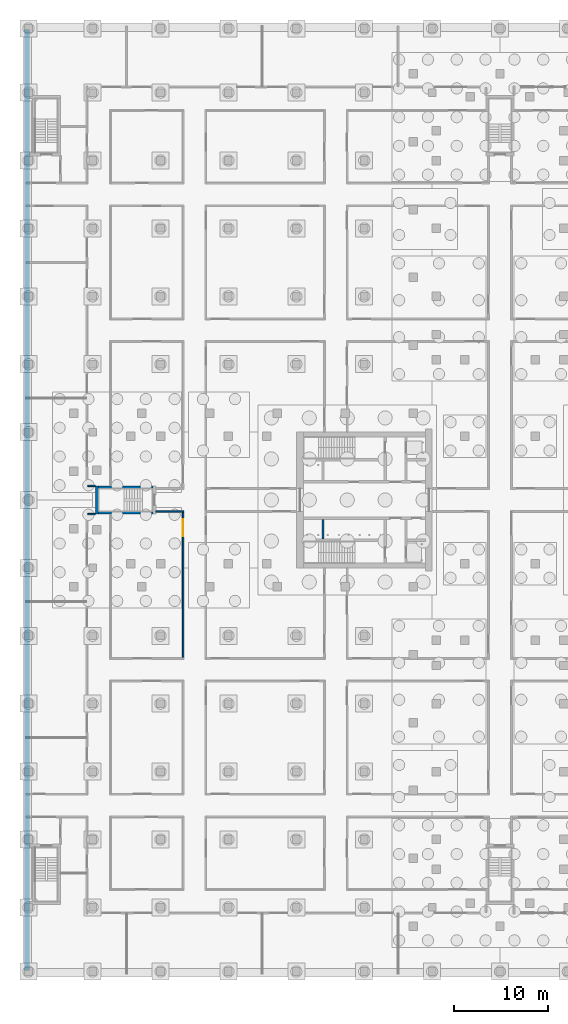
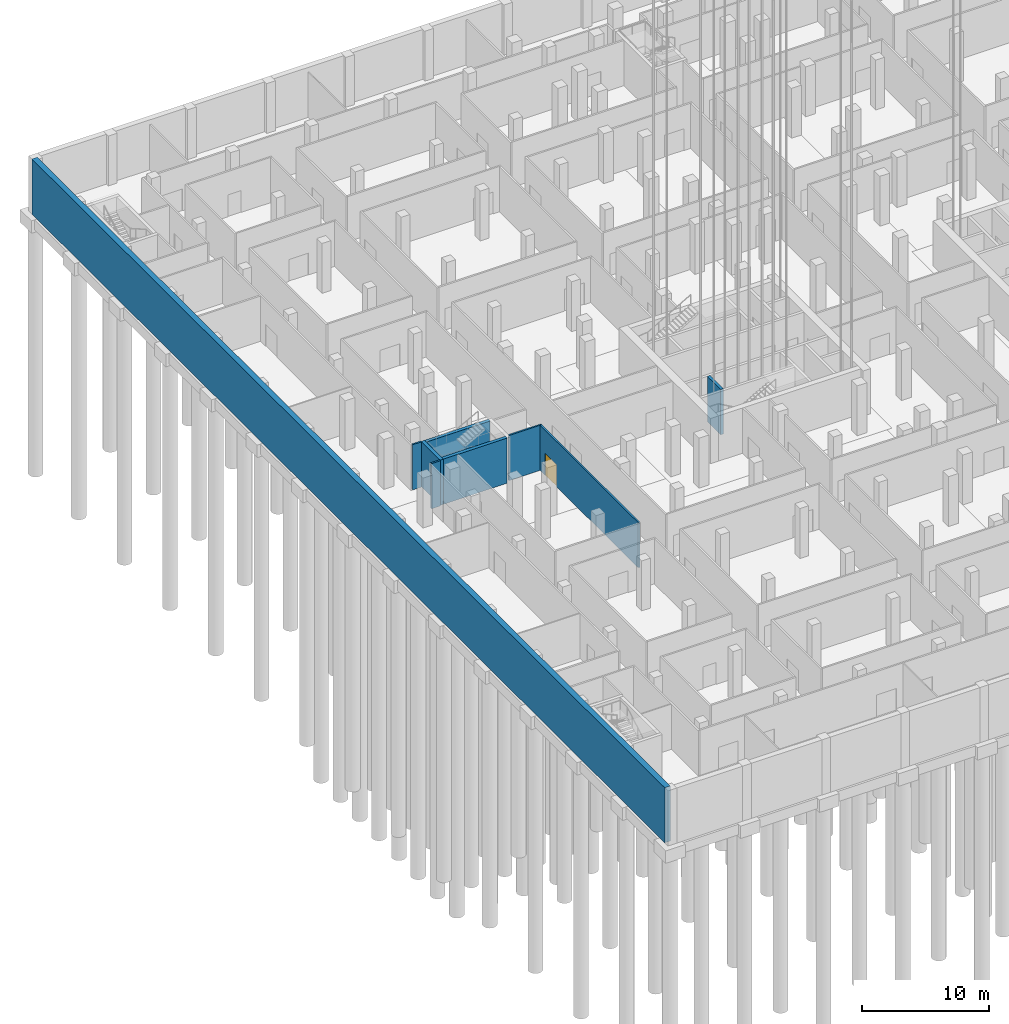
# One storey, part 9 of 54: 9 walls, 1 door, 1 opening.
"""IFC4 building model written with IfcOpenShell, lengths in metres."""

from ifc_helpers import new_model, si_unit, direction, frame, frame_2d, origin, place, context, subcontext, project, spatial, rectangle, extrude, material, layer, layer_set, type_object, element, fill, save


model = new_model("IFC4")

# Units and contexts
model_context = context("Model", 3, precision=1e-05, world=origin(), true_north=direction((0.0, 1.0)))
body_context = subcontext(model_context, "Body", "Model", "MODEL_VIEW")
ifc_project = project(units=[si_unit("LENGTHUNIT", "METRE"), si_unit("AREAUNIT", "SQUARE_METRE"), si_unit("VOLUMEUNIT", "CUBIC_METRE"), si_unit("PLANEANGLEUNIT", "RADIAN"), si_unit("MASSUNIT", "GRAM", prefix="KILO")], contexts=[model_context])

# Site, building, storey
site_placement = place(None, origin())
site = spatial("IfcSite", under=ifc_project, at=site_placement, CompositionType="ELEMENT")
building_placement = place(site_placement, origin())
building = spatial("IfcBuilding", under=site, at=building_placement, Name="Fustian Cross Tower", CompositionType="ELEMENT")
storey_placement = place(building_placement, frame((0.0, 0.0, -4.800048828125)))
storey = spatial("IfcBuildingStorey", under=building, at=storey_placement, Name="B1", CompositionType="ELEMENT", Elevation=-4.800048828125)

# Walls
ifc_material_1 = material(Name="Plasterboard on steel stud", Category="steel")
ifc_layer_1 = layer(ifc_material_1, 0.14990234375)
ifc_layer_set_1 = layer_set([ifc_layer_1], Name="Plasterboard on steel stud")
wall_type_1 = type_object("IfcWallType", Name="COMPARTMENT WALL 150 EI 60", PredefinedType="PARTITIONING", material=ifc_layer_set_1)
for number, where, z_axis, x_axis, name in (
    (1, (-43.72509765625, -1.5, 0.0), (0.0, 0.0, 1.0), (1.0, 0.0, 0.0), "Partition 16"),
    (2, (-43.72509765625, 1.5, 0.0), (0.0, 0.0, 1.0), (1.0, 0.0, 0.0), "Partition 18"),
):
    element("IfcWall", number, at=place(storey_placement, frame(where, z_axis=z_axis, x_axis=x_axis)), inside=storey, type_object=wall_type_1, Name=name, PredefinedType="PARTITIONING", context=body_context, shape_type="SweptSolid", body=[
        extrude(rectangle(XDim=0.8251953125, YDim=0.14990234375, at=frame_2d((0.41259765625, 0.0))), origin(), (0.0, 0.0, 1.0), 4.35009765625),
    ])
wall_1_placement = place(storey_placement, frame((-36.5, -1.199951171875, 0.0), z_axis=(0.0, 0.0, 1.0), x_axis=(1.0, 0.0, 0.0)))
element("IfcWall", 3, at=wall_1_placement, inside=storey, type_object=wall_type_1, Name="Partition 39", PredefinedType="PARTITIONING", context=body_context, shape_type="SweptSolid", body=[
    extrude(rectangle(XDim=2.97509765625, YDim=0.14990234375, at=frame_2d((1.487548828125, 0.0))), origin(), (0.0, 0.0, 1.0), 4.35009765625),
])

# Wall, opening, door
wall_2_placement = place(storey_placement, frame((-33.60009765625, -16.72509765625, 0.0), z_axis=(0.0, 0.0, 1.0), x_axis=(0.0, 1.0, 0.0)))
wall_2 = element("IfcWall", 4, at=wall_2_placement, inside=storey, type_object=wall_type_1, Name="Partition 43", PredefinedType="PARTITIONING", context=body_context, shape_type="SweptSolid", body=[
    extrude(rectangle(XDim=15.4501953125, YDim=0.14990234375, at=frame_2d((7.72509765625, 0.0))), origin(), (0.0, 0.0, 1.0), 4.35009765625),
])
opening_placement = place(wall_2_placement, frame((12.875, 0.0, 0.0)))
opening = element("IfcOpeningElement", 5, at=opening_placement, cuts=wall_2, Name="Opening D01171", PredefinedType="OPENING", context=body_context, shape_type="SweptSolid", body=[
    extrude(rectangle(XDim=1.800048828125, YDim=2.10009765625, at=frame_2d((0.89990234375, 1.050048828125))), frame((0.0, 0.0849609375, 0.0), z_axis=(0.0, -1.0, 0.0), x_axis=(1.0, 0.0, 0.0)), (0.0, 0.0, 1.0), 0.169921875),
])
ifc_material_2 = material(Name="Timber fire door set", Category="wood")
door_type = type_object("IfcDoorType", Name="FIRE DOUBLE DOOR 1800 FD30S", OperationType="DOUBLE_DOOR_DOUBLE_SWING", PredefinedType="DOOR", material=ifc_material_2)
door_placement = place(opening_placement, frame((1.800048828125, 0.0, 0.0), z_axis=(0.0, 0.0, 1.0), x_axis=(-1.0, 0.0, 0.0)))
door = element("IfcDoor", 6, at=door_placement, inside=storey, type_object=door_type, Name="Door D01171", OperationType="DOUBLE_DOOR_DOUBLE_SWING", OverallHeight=2.10009765625, OverallWidth=1.800048828125, PredefinedType="DOOR", context=body_context, shape_type="SweptSolid", body=[
    extrude(rectangle(XDim=1.800048828125, YDim=2.10009765625, at=frame_2d((0.89990234375, 1.050048828125))), frame((0.0, 0.02490234375, 0.0), z_axis=(0.0, -1.0, 0.0), x_axis=(1.0, 0.0, 0.0)), (0.0, 0.0, 1.0), 0.050048828125),
])
fill(opening, door)

# Walls
ifc_material_3 = material(Name="Concrete C40/50", Category="concrete")
ifc_layer_2 = layer(ifc_material_3, 0.5)
ifc_layer_set_2 = layer_set([ifc_layer_2], Name="Concrete C40/50")
wall_type_2 = type_object("IfcWallType", Name="RETAINING WALL 500", PredefinedType="SOLIDWALL", material=ifc_layer_set_2)
wall_3_placement = place(storey_placement, frame((-50.14990234375, -49.89990234375, -0.5), z_axis=(0.0, 0.0, 1.0), x_axis=(0.0, 1.0, 0.0)))
element("IfcWall", 7, at=wall_3_placement, inside=storey, type_object=wall_type_2, Name="RETAINING WALL W", PredefinedType="SOLIDWALL", context=body_context, shape_type="SweptSolid", body=[
    extrude(rectangle(XDim=99.7998046875, YDim=0.5, at=frame_2d((49.89990234375, 0.0))), origin(), (0.0, 0.0, 1.0), 5.300048828125),
])
ifc_material_4 = material(Name="Concrete C40/50", Category="concrete")
ifc_layer_3 = layer(ifc_material_4, 0.25)
ifc_layer_set_3 = layer_set([ifc_layer_3], Name="Concrete C40/50")
wall_type_3 = type_object("IfcWallType", Name="SHAFT PARTITION WALL 250 C40/50", PredefinedType="PARTITIONING", material=ifc_layer_set_3)
wall_4_placement = place(storey_placement, frame((-18.77490234375, -2.050048828125, 0.0), z_axis=(0.0, 0.0, 1.0), x_axis=(0.0, -1.0, 0.0)))
element("IfcWall", 8, at=wall_4_placement, inside=storey, type_object=wall_type_3, Name="Core shaft wall", PredefinedType="PARTITIONING", context=body_context, shape_type="SweptSolid", body=[
    extrude(rectangle(XDim=2.099853515625, YDim=0.25, at=frame_2d((1.0498046875, 0.0))), origin(), (0.0, 0.0, 1.0), 4.35009765625),
])
ifc_material_5 = material(Name="Concrete C50/60", Category="concrete")
ifc_layer_4 = layer(ifc_material_5, 0.300048828125)
ifc_layer_set_4 = layer_set([ifc_layer_4], Name="Concrete C50/60")
wall_type_4 = type_object("IfcWallType", Name="STAIR ENCLOSURE WALL 300 C50/60", PredefinedType="SHEAR", material=ifc_layer_set_4)
wall_5_placement = place(storey_placement, frame((-42.75, -1.5, 0.0), z_axis=(0.0, 0.0, 1.0), x_axis=(0.0, 1.0, 0.0)))
element("IfcWall", 9, at=wall_5_placement, inside=storey, type_object=wall_type_4, Name="Stair enclosure wall", PredefinedType="SHEAR", context=body_context, shape_type="SweptSolid", body=[
    extrude(rectangle(XDim=3.0, YDim=0.300048828125, at=frame_2d((1.5, 0.0))), origin(), (0.0, 0.0, 1.0), 4.35009765625),
])
for number, where, z_axis, x_axis, name in (
    (10, (-36.800048828125, -1.35009765625, 0.0), (0.0, 0.0, 1.0), (-1.0, 0.0, 0.0), "Stair enclosure wall"),
    (11, (-36.800048828125, 1.35009765625, 0.0), (0.0, 0.0, 1.0), (-1.0, 0.0, 0.0), "Stair enclosure wall"),
):
    element("IfcWall", number, at=place(storey_placement, frame(where, z_axis=z_axis, x_axis=x_axis)), inside=storey, type_object=wall_type_4, Name=name, PredefinedType="SHEAR", context=body_context, shape_type="SweptSolid", body=[
        extrude(rectangle(XDim=5.800048828125, YDim=0.300048828125, at=frame_2d((2.89990234375, 0.0))), origin(), (0.0, 0.0, 1.0), 4.35009765625),
    ])

save(model, "model.ifc")
